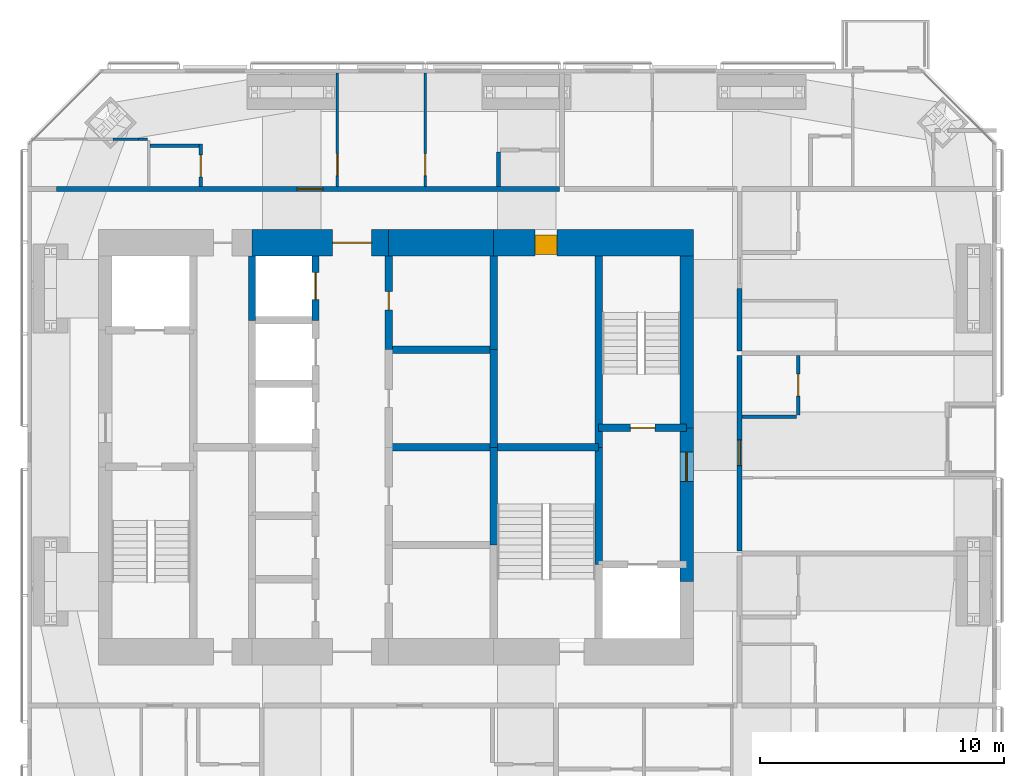
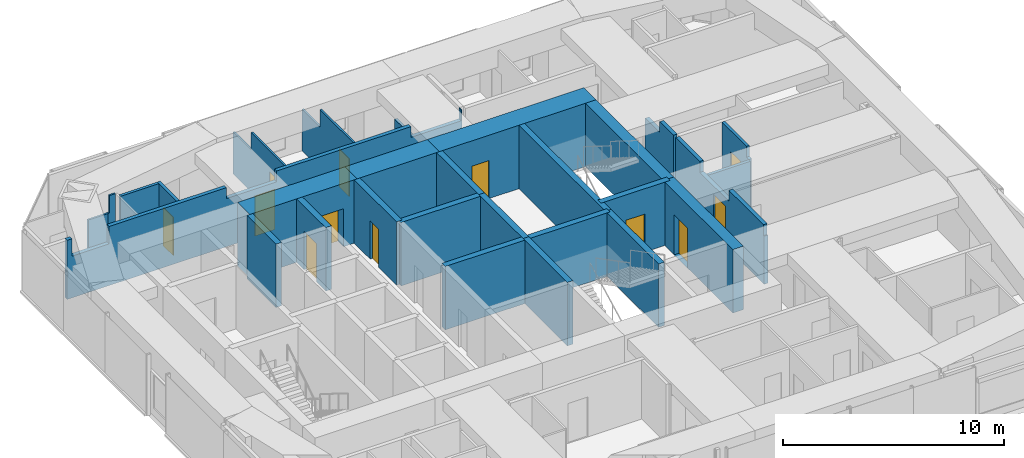
# One storey, part 16 of 19: 29 walls, 12 doors, 12 openings.
"""IFC4 building model written with IfcOpenShell, lengths in metres."""

from ifc_helpers import new_model, si_unit, direction, frame, frame_2d, origin, place, context, subcontext, project, spatial, polyline, rectangle, outline, extrude, material, layer, layer_set, constituent, constituent_set, type_object, element, fill, save


model = new_model("IFC4")

# Units and contexts
model_context = context("Model", 3, precision=1e-05, world=origin(), true_north=direction((0.0, 1.0)))
body_context = subcontext(model_context, "Body", "Model", "MODEL_VIEW")
ifc_project = project(units=[si_unit("LENGTHUNIT", "METRE"), si_unit("AREAUNIT", "SQUARE_METRE"), si_unit("VOLUMEUNIT", "CUBIC_METRE"), si_unit("PLANEANGLEUNIT", "RADIAN"), si_unit("MASSUNIT", "GRAM", prefix="KILO")], contexts=[model_context])

# Site, building, storey
site_placement = place(None, origin())
site = spatial("IfcSite", under=ifc_project, at=site_placement, CompositionType="ELEMENT")
building_placement = place(site_placement, origin())
building = spatial("IfcBuilding", under=site, at=building_placement, Name="Jalousie Tower", CompositionType="ELEMENT")
storey_placement = place(building_placement, frame((0.0, 0.0, 217.949951171875)))
storey = spatial("IfcBuildingStorey", under=building, at=storey_placement, Name="L59", CompositionType="ELEMENT", Elevation=217.949951171875)

# Wall
ifc_material_1 = material(Name="Concrete block ASTM C90", Category="concrete")
ifc_constituent_1 = constituent(ifc_material_1, Name="Body")
ifc_material_2 = material(Name="Render")
ifc_constituent_2 = constituent(ifc_material_2, Name="Finish")
ifc_constituent_set_1 = constituent_set(constituents=[ifc_constituent_1, ifc_constituent_2])
wall_type_1 = type_object("IfcWallType", Name="BATHROOM WALL 150", PredefinedType="PLUMBINGWALL", material=ifc_constituent_set_1)
wall_1_placement = place(storey_placement, frame((36.10009765625, 30.60009765625, 0.0), z_axis=(0.0, 0.0, 1.0), x_axis=(0.0, -1.0, 0.0)))
element("IfcWall", 1, at=wall_1_placement, inside=storey, type_object=wall_type_1, Name="Bathroom Wall 150 L59", PredefinedType="PLUMBINGWALL", context=body_context, shape_type="SweptSolid", body=[
    extrude(outline(polyline([(0.0, 0.0), (1.425048828125, 0.0), (1.425048828125, 3.260009765625), (1.425048828125, 2.66015625), (0.0, 2.66015625), (0.0, 3.260009765625), (0.0, 0.0)])), frame((0.0, 0.074951171875, 0.0), z_axis=(0.0, -1.0, 0.0), x_axis=(1.0, 0.0, 0.0)), (0.0, 0.0, 1.0), 0.14990234375),
])

# Wall, opening, door
wall_2_placement = place(storey_placement, frame((48.375, 19.824951171875, 0.0), z_axis=(0.0, 0.0, 1.0), x_axis=(0.0, 1.0, 0.0)))
wall_2 = element("IfcWall", 2, at=wall_2_placement, inside=storey, type_object=wall_type_1, Name="Bathroom Wall 150 L59", PredefinedType="PLUMBINGWALL", context=body_context, shape_type="SweptSolid", body=[
    extrude(outline(polyline([(0.0, 0.0), (2.425048828125, 0.0), (2.425048828125, 3.260009765625), (0.2099609375, 3.260009765625), (0.2099609375, 2.66015625), (0.0, 2.66015625), (0.0, 3.260009765625), (0.0, 0.0)])), frame((0.0, 0.074951171875, 0.0), z_axis=(0.0, -1.0, 0.0), x_axis=(1.0, 0.0, 0.0)), (0.0, 0.0, 1.0), 0.14990234375),
])
opening_1_placement = place(wall_2_placement, frame((0.77490234375, 0.0, 0.0)))
opening_1 = element("IfcOpeningElement", 3, at=opening_1_placement, cuts=wall_2, Name="Opening D3", PredefinedType="OPENING", context=body_context, shape_type="SweptSolid", body=[
    extrude(rectangle(XDim=0.89990234375, YDim=2.10009765625, at=frame_2d((0.449951171875, 1.050048828125))), frame((0.0, 0.0849609375, 0.0), z_axis=(0.0, -1.0, 0.0), x_axis=(1.0, 0.0, 0.0)), (0.0, 0.0, 1.0), 0.169921875),
])
ifc_material_3 = material(Name="Timber door", Category="wood")
door_type_1 = type_object("IfcDoorType", Name="BATHROOM DOOR 900", OperationType="SINGLE_SWING_LEFT", PredefinedType="DOOR", material=ifc_material_3)
door_1_placement = place(opening_1_placement, origin())
door_1 = element("IfcDoor", 4, at=door_1_placement, inside=storey, type_object=door_type_1, Name="Apartment 5907 bathroom door", OperationType="SINGLE_SWING_RIGHT", OverallHeight=2.10009765625, OverallWidth=0.89990234375, PredefinedType="DOOR", context=body_context, shape_type="SweptSolid", body=[
    extrude(rectangle(XDim=0.89990234375, YDim=2.10009765625, at=frame_2d((0.449951171875, 1.050048828125))), frame((0.0, 0.02490234375, 0.0), z_axis=(0.0, -1.0, 0.0), x_axis=(1.0, 0.0, 0.0)), (0.0, 0.0, 1.0), 0.050048828125),
])
fill(opening_1, door_1)

# Wall
wall_3_placement = place(storey_placement, frame((48.300048828125, 19.75, 0.0), z_axis=(0.0, 0.0, 1.0), x_axis=(-1.0, 0.0, 0.0)))
element("IfcWall", 5, at=wall_3_placement, inside=storey, type_object=wall_type_1, Name="Bathroom Wall 150 L59", PredefinedType="PLUMBINGWALL", context=body_context, shape_type="SweptSolid", body=[
    extrude(outline(polyline([(0.0, 0.0), (2.22509765625, 0.0), (2.22509765625, 3.260009765625), (2.22509765625, 2.66015625), (0.0, 2.66015625), (0.0, 3.260009765625), (0.0, 0.0)])), frame((0.0, 0.074951171875, 0.0), z_axis=(0.0, -1.0, 0.0), x_axis=(1.0, 0.0, 0.0)), (0.0, 0.0, 1.0), 0.14990234375),
])

# Wall, opening, door
wall_4_placement = place(storey_placement, frame((23.89990234375, 29.175048828125, 0.0), z_axis=(0.0, 0.0, 1.0), x_axis=(0.0, 1.0, 0.0)))
wall_4 = element("IfcWall", 6, at=wall_4_placement, inside=storey, type_object=wall_type_1, Name="Bathroom Wall 150 L59", PredefinedType="PLUMBINGWALL", context=body_context, shape_type="SweptSolid", body=[
    extrude(rectangle(XDim=1.75, YDim=0.14990234375, at=frame_2d((0.875, 0.0))), origin(), (0.0, 0.0, 1.0), 3.260009765625),
])
opening_2_placement = place(wall_4_placement, frame((0.39990234375, 0.0, 0.0)))
opening_2 = element("IfcOpeningElement", 7, at=opening_2_placement, cuts=wall_4, Name="Opening D7", PredefinedType="OPENING", context=body_context, shape_type="SweptSolid", body=[
    extrude(rectangle(XDim=0.89990234375, YDim=2.10009765625, at=frame_2d((0.449951171875, 1.050048828125))), frame((0.0, 0.0849609375, 0.0), z_axis=(0.0, -1.0, 0.0), x_axis=(1.0, 0.0, 0.0)), (0.0, 0.0, 1.0), 0.169921875),
])
ifc_material_4 = material(Name="Timber door", Category="wood")
door_type_2 = type_object("IfcDoorType", Name="INTERNAL DOOR 900", OperationType="SINGLE_SWING_LEFT", PredefinedType="DOOR", material=ifc_material_4)
door_2_placement = place(opening_2_placement, origin())
door_2 = element("IfcDoor", 8, at=door_2_placement, inside=storey, type_object=door_type_2, Name="Apartment 5904 guest WC door", OperationType="SINGLE_SWING_RIGHT", OverallHeight=2.10009765625, OverallWidth=0.89990234375, PredefinedType="DOOR", context=body_context, shape_type="SweptSolid", body=[
    extrude(rectangle(XDim=0.89990234375, YDim=2.10009765625, at=frame_2d((0.449951171875, 1.050048828125))), frame((0.0, 0.02490234375, 0.0), z_axis=(0.0, -1.0, 0.0), x_axis=(1.0, 0.0, 0.0)), (0.0, 0.0, 1.0), 0.050048828125),
])
fill(opening_2, door_2)

# Wall
wall_5_placement = place(storey_placement, frame((21.824951171875, 30.85009765625, 0.0), z_axis=(0.0, 0.0, 1.0), x_axis=(1.0, 0.0, 0.0)))
element("IfcWall", 9, at=wall_5_placement, inside=storey, type_object=wall_type_1, Name="Bathroom Wall 150 L59", PredefinedType="PLUMBINGWALL", context=body_context, shape_type="SweptSolid", body=[
    extrude(rectangle(XDim=2.0, YDim=0.14990234375, at=frame_2d((1.0, 0.0))), origin(), (0.0, 0.0, 1.0), 3.260009765625),
])

# Wall, opening, door
ifc_material_5 = material(Name="Concrete f'c 120 MPa", Category="concrete")
ifc_layer_1 = layer(ifc_material_5, 1.10009765625)
ifc_layer_set_1 = layer_set([ifc_layer_1], Name="Concrete f'c 120 MPa")
wall_type_2 = type_object("IfcWallType", Name="CORE WALL 1100", PredefinedType="SHEAR", material=ifc_layer_set_1)
wall_6_placement = place(storey_placement, frame((44.074951171875, 26.875, 0.0), z_axis=(0.0, 0.0, 1.0), x_axis=(-1.0, 0.0, 0.0)))
wall_6 = element("IfcWall", 10, at=wall_6_placement, inside=storey, type_object=wall_type_2, Name="Core wall NA L59", PredefinedType="SHEAR", context=body_context, shape_type="SweptSolid", body=[
    extrude(rectangle(XDim=8.175048828125, YDim=1.10009765625, at=frame_2d((4.08740234375, 0.0))), origin(), (0.0, 0.0, 1.0), 3.5),
])
opening_3_placement = place(wall_6_placement, frame((5.574951171875, 0.0, 0.0)))
opening_3 = element("IfcOpeningElement", 11, at=opening_3_placement, cuts=wall_6, Name="Opening D18", PredefinedType="OPENING", context=body_context, shape_type="SweptSolid", body=[
    extrude(rectangle(XDim=0.89990234375, YDim=2.10009765625, at=frame_2d((0.449951171875, 1.050048828125))), frame((0.0, 0.56005859375, 0.0), z_axis=(0.0, -1.0, 0.0), x_axis=(1.0, 0.0, 0.0)), (0.0, 0.0, 1.0), 1.1201171875),
])
ifc_material_6 = material(Name="Steel fire door", Category="steel")
door_type_3 = type_object("IfcDoorType", Name="CLEANER'S STORE DOOR 900", OperationType="SINGLE_SWING_LEFT", PredefinedType="DOOR", material=ifc_material_6)
door_3_placement = place(opening_3_placement, origin())
door_3 = element("IfcDoor", 12, at=door_3_placement, inside=storey, type_object=door_type_3, Name="Cleaner's store door", OperationType="SINGLE_SWING_LEFT", OverallHeight=2.10009765625, OverallWidth=0.89990234375, PredefinedType="DOOR", context=body_context, shape_type="SweptSolid", body=[
    extrude(rectangle(XDim=0.89990234375, YDim=2.10009765625, at=frame_2d((0.449951171875, 1.050048828125))), frame((0.0, 0.47021484375, 0.0), z_axis=(0.0, -1.0, 0.0), x_axis=(1.0, 0.0, 0.0)), (0.0, 0.0, 1.0), 0.800048828125),
])
fill(opening_3, door_3)

# Wall
wall_7_placement = place(storey_placement, frame((35.89990234375, 26.875, 0.0), z_axis=(0.0, 0.0, 1.0), x_axis=(-1.0, 0.0, 0.0)))
element("IfcWall", 13, at=wall_7_placement, inside=storey, type_object=wall_type_2, Name="Core wall NB L59", PredefinedType="SHEAR", context=body_context, shape_type="SweptSolid", body=[
    extrude(rectangle(XDim=4.2998046875, YDim=1.10009765625, at=frame_2d((2.14990234375, 0.0))), origin(), (0.0, 0.0, 1.0), 3.5),
])

# Wall, opening, door
wall_8_placement = place(storey_placement, frame((31.60009765625, 26.875, 0.0), z_axis=(0.0, 0.0, 1.0), x_axis=(-1.0, 0.0, 0.0)))
wall_8 = element("IfcWall", 14, at=wall_8_placement, inside=storey, type_object=wall_type_2, Name="Core wall NC L59", PredefinedType="SHEAR", context=body_context, shape_type="SweptSolid", body=[
    extrude(rectangle(XDim=5.60009765625, YDim=1.10009765625, at=frame_2d((2.800048828125, 0.0))), origin(), (0.0, 0.0, 1.0), 3.5),
])
opening_4_placement = place(wall_8_placement, frame((0.699951171875, 0.0, 0.0)))
opening_4 = element("IfcOpeningElement", 15, at=opening_4_placement, cuts=wall_8, Name="Opening D15", PredefinedType="OPENING", context=body_context, shape_type="SweptSolid", body=[
    extrude(rectangle(XDim=1.60009765625, YDim=2.10009765625, at=frame_2d((0.800048828125, 1.050048828125))), frame((0.0, 0.56005859375, 0.0), z_axis=(0.0, -1.0, 0.0), x_axis=(1.0, 0.0, 0.0)), (0.0, 0.0, 1.0), 1.1201171875),
])
ifc_material_7 = material(Name="Steel fire door", Category="steel")
door_type_4 = type_object("IfcDoorType", Name="LIFT LOBBY DOOR 1600", OperationType="DOUBLE_DOOR_SINGLE_SWING", PredefinedType="DOOR", material=ifc_material_7)
door_4_placement = place(opening_4_placement, origin())
door_4 = element("IfcDoor", 16, at=door_4_placement, inside=storey, type_object=door_type_4, Name="Lift lobby north door", OperationType="DOUBLE_DOOR_SINGLE_SWING", OverallHeight=2.10009765625, OverallWidth=1.60009765625, PredefinedType="DOOR", context=body_context, shape_type="SweptSolid", body=[
    extrude(rectangle(XDim=1.60009765625, YDim=2.10009765625, at=frame_2d((0.800048828125, 1.050048828125))), frame((0.0, 0.02490234375, 0.0), z_axis=(0.0, -1.0, 0.0), x_axis=(1.0, 0.0, 0.0)), (0.0, 0.0, 1.0), 0.050048828125),
])
fill(opening_4, door_4)

# Wall
ifc_material_8 = material(Name="Concrete f'c 120 MPa", Category="concrete")
ifc_layer_2 = layer(ifc_material_8, 0.300048828125)
ifc_layer_set_2 = layer_set([ifc_layer_2], Name="Concrete f'c 120 MPa")
wall_type_3 = type_object("IfcWallType", Name="CORE WALL 300", PredefinedType="SHEAR", material=ifc_layer_set_2)
wall_9_placement = place(storey_placement, frame((26.0, 23.699951171875, 0.0), z_axis=(0.0, 0.0, 1.0), x_axis=(0.0, 1.0, 0.0)))
element("IfcWall", 17, at=wall_9_placement, inside=storey, type_object=wall_type_3, Name="Core wall X26F L59", PredefinedType="SHEAR", context=body_context, shape_type="SweptSolid", body=[
    extrude(rectangle(XDim=2.625, YDim=0.300048828125, at=frame_2d((1.3125, 0.0))), origin(), (0.0, 0.0, 1.0), 3.5),
])

# Wall, opening, door
wall_10_placement = place(storey_placement, frame((28.60009765625, 23.699951171875, 0.0), z_axis=(0.0, 0.0, 1.0), x_axis=(0.0, 1.0, 0.0)))
wall_10 = element("IfcWall", 18, at=wall_10_placement, inside=storey, type_object=wall_type_3, Name="Core wall X28.6F L59", PredefinedType="SHEAR", context=body_context, shape_type="SweptSolid", body=[
    extrude(rectangle(XDim=2.625, YDim=0.300048828125, at=frame_2d((1.3125, 0.0))), origin(), (0.0, 0.0, 1.0), 3.5),
])
opening_5_placement = place(wall_10_placement, frame((0.85009765625, 0.0, 0.0)))
opening_5 = element("IfcOpeningElement", 19, at=opening_5_placement, cuts=wall_10, Name="Opening LD1", PredefinedType="OPENING", context=body_context, shape_type="SweptSolid", body=[
    extrude(rectangle(XDim=1.10009765625, YDim=2.10009765625, at=frame_2d((0.550048828125, 1.050048828125))), frame((0.0, 0.159912109375, 0.0), z_axis=(0.0, -1.0, 0.0), x_axis=(1.0, 0.0, 0.0)), (0.0, 0.0, 1.0), 0.320068359375),
])
ifc_material_9 = material(Name="Steel lift landing door", Category="steel")
door_type_5 = type_object("IfcDoorType", Name="LIFT LANDING DOOR 1100", OperationType="SLIDING_TO_LEFT", PredefinedType="DOOR", material=ifc_material_9)
door_5_placement = place(opening_5_placement, origin())
door_5 = element("IfcDoor", 20, at=door_5_placement, inside=storey, type_object=door_type_5, Name="Lift P6 landing door", OperationType="SLIDING_TO_LEFT", OverallHeight=2.10009765625, OverallWidth=1.10009765625, PredefinedType="DOOR", context=body_context, shape_type="SweptSolid", body=[
    extrude(rectangle(XDim=1.10009765625, YDim=2.10009765625, at=frame_2d((0.550048828125, 1.050048828125))), frame((0.0, 0.02490234375, 0.0), z_axis=(0.0, -1.0, 0.0), x_axis=(1.0, 0.0, 0.0)), (0.0, 0.0, 1.0), 0.050048828125),
])
fill(opening_5, door_5)

wall_11_placement = place(storey_placement, frame((31.60009765625, 22.5, 0.0), z_axis=(0.0, 0.0, 1.0), x_axis=(0.0, 1.0, 0.0)))
wall_11 = element("IfcWall", 21, at=wall_11_placement, inside=storey, type_object=wall_type_3, Name="Core wall X31.6D L59", PredefinedType="SHEAR", context=body_context, shape_type="SweptSolid", body=[
    extrude(rectangle(XDim=3.824951171875, YDim=0.300048828125, at=frame_2d((1.91259765625, 0.0))), origin(), (0.0, 0.0, 1.0), 3.5),
])
opening_6_placement = place(wall_11_placement, frame((1.625, 0.0, 0.0)))
opening_6 = element("IfcOpeningElement", 22, at=opening_6_placement, cuts=wall_11, Name="Opening D16", PredefinedType="OPENING", context=body_context, shape_type="SweptSolid", body=[
    extrude(rectangle(XDim=0.75, YDim=2.10009765625, at=frame_2d((0.375, 1.050048828125))), frame((0.0, 0.159912109375, 0.0), z_axis=(0.0, -1.0, 0.0), x_axis=(1.0, 0.0, 0.0)), (0.0, 0.0, 1.0), 0.320068359375),
])
ifc_material_10 = material(Name="Steel fire door", Category="steel")
door_type_6 = type_object("IfcDoorType", Name="RISER DOOR 750", OperationType="SINGLE_SWING_LEFT", PredefinedType="DOOR", material=ifc_material_10)
door_6_placement = place(opening_6_placement, frame((0.75, 0.0, 0.0), z_axis=(0.0, 0.0, 1.0), x_axis=(-1.0, 0.0, 0.0)))
door_6 = element("IfcDoor", 23, at=door_6_placement, inside=storey, type_object=door_type_6, Name="Water Services Room door", OperationType="SINGLE_SWING_LEFT", OverallHeight=2.10009765625, OverallWidth=0.75, PredefinedType="DOOR", context=body_context, shape_type="SweptSolid", body=[
    extrude(rectangle(XDim=0.75, YDim=2.10009765625, at=frame_2d((0.375, 1.050048828125))), frame((0.0, 0.02490234375, 0.0), z_axis=(0.0, -1.0, 0.0), x_axis=(1.0, 0.0, 0.0)), (0.0, 0.0, 1.0), 0.050048828125),
])
fill(opening_6, door_6)

# Walls
for number, where, z_axis, x_axis, name in (
    (24, (35.89990234375, 14.5, 0.0), (0.0, 0.0, 1.0), (0.0, 1.0, 0.0), "Core wall X35.9B L59"),
    (25, (35.89990234375, 18.5, 0.0), (0.0, 0.0, 1.0), (0.0, 1.0, 0.0), "Core wall X35.9C L59"),
):
    element("IfcWall", number, at=place(storey_placement, frame(where, z_axis=z_axis, x_axis=x_axis)), inside=storey, type_object=wall_type_3, Name=name, PredefinedType="SHEAR", context=body_context, shape_type="SweptSolid", body=[
        extrude(rectangle(XDim=4.0, YDim=0.300048828125, at=frame_2d((2.0, 0.0))), origin(), (0.0, 0.0, 1.0), 3.5),
    ])
wall_12_placement = place(storey_placement, frame((35.89990234375, 22.5, 0.0), z_axis=(0.0, 0.0, 1.0), x_axis=(0.0, 1.0, 0.0)))
element("IfcWall", 26, at=wall_12_placement, inside=storey, type_object=wall_type_3, Name="Core wall X35.9D L59", PredefinedType="SHEAR", context=body_context, shape_type="SweptSolid", body=[
    extrude(rectangle(XDim=3.824951171875, YDim=0.300048828125, at=frame_2d((1.91259765625, 0.0))), origin(), (0.0, 0.0, 1.0), 3.5),
])
wall_13_placement = place(storey_placement, frame((40.199951171875, 13.699951171875, 0.0), z_axis=(0.0, 0.0, 1.0), x_axis=(0.0, 1.0, 0.0)))
element("IfcWall", 27, at=wall_13_placement, inside=storey, type_object=wall_type_3, Name="Core wall X40.2B L59", PredefinedType="SHEAR", context=body_context, shape_type="SweptSolid", body=[
    extrude(rectangle(XDim=4.800048828125, YDim=0.300048828125, at=frame_2d((2.39990234375, 0.0))), origin(), (0.0, 0.0, 1.0), 3.5),
])
wall_14_placement = place(storey_placement, frame((40.199951171875, 18.5, 0.0), z_axis=(0.0, 0.0, 1.0), x_axis=(0.0, 1.0, 0.0)))
element("IfcWall", 28, at=wall_14_placement, inside=storey, type_object=wall_type_3, Name="Core wall X40.2C L59", PredefinedType="SHEAR", context=body_context, shape_type="SweptSolid", body=[
    extrude(rectangle(XDim=7.824951171875, YDim=0.300048828125, at=frame_2d((3.91259765625, 0.0))), origin(), (0.0, 0.0, 1.0), 3.5),
])
for number, where, z_axis, x_axis, name in (
    (29, (31.60009765625, 18.5, 0.0), (0.0, 0.0, 1.0), (1.0, 0.0, 0.0), "Core wall Y31.6-18.5 L59"),
    (30, (31.60009765625, 22.5, 0.0), (0.0, 0.0, 1.0), (1.0, 0.0, 0.0), "Core wall Y31.6-22.5 L59"),
):
    element("IfcWall", number, at=place(storey_placement, frame(where, z_axis=z_axis, x_axis=x_axis)), inside=storey, type_object=wall_type_3, Name=name, PredefinedType="SHEAR", context=body_context, shape_type="SweptSolid", body=[
        extrude(rectangle(XDim=4.2998046875, YDim=0.300048828125, at=frame_2d((2.14990234375, 0.0))), origin(), (0.0, 0.0, 1.0), 3.5),
    ])
wall_15_placement = place(storey_placement, frame((35.89990234375, 18.5, 0.0), z_axis=(0.0, 0.0, 1.0), x_axis=(1.0, 0.0, 0.0)))
element("IfcWall", 31, at=wall_15_placement, inside=storey, type_object=wall_type_3, Name="Core wall Y35.9-18.5 L59", PredefinedType="SHEAR", context=body_context, shape_type="SweptSolid", body=[
    extrude(rectangle(XDim=4.300048828125, YDim=0.300048828125, at=frame_2d((2.14990234375, 0.0))), origin(), (0.0, 0.0, 1.0), 3.5),
])

# Wall, opening, door
wall_16_placement = place(storey_placement, frame((40.199951171875, 19.300048828125, 0.0), z_axis=(0.0, 0.0, 1.0), x_axis=(1.0, 0.0, 0.0)))
wall_16 = element("IfcWall", 32, at=wall_16_placement, inside=storey, type_object=wall_type_3, Name="Core wall Y40.2-19.3 L59", PredefinedType="SHEAR", context=body_context, shape_type="SweptSolid", body=[
    extrude(rectangle(XDim=3.60009765625, YDim=0.300048828125, at=frame_2d((1.800048828125, 0.0))), origin(), (0.0, 0.0, 1.0), 3.5),
])
opening_7_placement = place(wall_16_placement, frame((1.300048828125, 0.0, 0.0)))
opening_7 = element("IfcOpeningElement", 33, at=opening_7_placement, cuts=wall_16, Name="Opening D10", PredefinedType="OPENING", context=body_context, shape_type="SweptSolid", body=[
    extrude(rectangle(XDim=1.0, YDim=2.10009765625, at=frame_2d((0.5, 1.050048828125))), frame((0.0, 0.159912109375, 0.0), z_axis=(0.0, -1.0, 0.0), x_axis=(1.0, 0.0, 0.0)), (0.0, 0.0, 1.0), 0.320068359375),
])
ifc_material_11 = material(Name="Steel fire door", Category="steel")
door_type_7 = type_object("IfcDoorType", Name="STAIR DOOR 1000", OperationType="SINGLE_SWING_LEFT", PredefinedType="DOOR", material=ifc_material_11)
door_7_placement = place(opening_7_placement, origin())
door_7 = element("IfcDoor", 34, at=door_7_placement, inside=storey, type_object=door_type_7, Name="Exit stair B door", OperationType="SINGLE_SWING_RIGHT", OverallHeight=2.10009765625, OverallWidth=1.0, PredefinedType="DOOR", context=body_context, shape_type="SweptSolid", body=[
    extrude(rectangle(XDim=1.0, YDim=2.10009765625, at=frame_2d((0.5, 1.050048828125))), frame((0.0, 0.02490234375, 0.0), z_axis=(0.0, -1.0, 0.0), x_axis=(1.0, 0.0, 0.0)), (0.0, 0.0, 1.0), 0.050048828125),
])
fill(opening_7, door_7)

ifc_material_12 = material(Name="Concrete f'c 120 MPa", Category="concrete")
ifc_layer_3 = layer(ifc_material_12, 0.550048828125)
ifc_layer_set_3 = layer_set([ifc_layer_3], Name="Concrete f'c 120 MPa")
wall_type_4 = type_object("IfcWallType", Name="CORE WALL 550", PredefinedType="SHEAR", material=ifc_layer_set_3)
wall_17_placement = place(storey_placement, frame((43.800048828125, 13.0, 0.0), z_axis=(0.0, 0.0, 1.0), x_axis=(0.0, 1.0, 0.0)))
wall_17 = element("IfcWall", 35, at=wall_17_placement, inside=storey, type_object=wall_type_4, Name="Core wall EB L59", PredefinedType="SHEAR", context=body_context, shape_type="SweptSolid", body=[
    extrude(rectangle(XDim=6.300048828125, YDim=0.550048828125, at=frame_2d((3.14990234375, 0.0))), origin(), (0.0, 0.0, 1.0), 3.5),
])
opening_8_placement = place(wall_17_placement, frame((4.10009765625, 0.0, 0.0)))
opening_8 = element("IfcOpeningElement", 36, at=opening_8_placement, cuts=wall_17, Name="Opening D11", PredefinedType="OPENING", context=body_context, shape_type="SweptSolid", body=[
    extrude(rectangle(XDim=1.199951171875, YDim=2.199951171875, at=frame_2d((0.60009765625, 1.10009765625))), frame((0.0, 0.284912109375, 0.0), z_axis=(0.0, -1.0, 0.0), x_axis=(1.0, 0.0, 0.0)), (0.0, 0.0, 1.0), 0.570068359375),
])
ifc_material_13 = material(Name="Steel fire door", Category="steel")
door_type_8 = type_object("IfcDoorType", Name="FIRE DOOR 1200", OperationType="SINGLE_SWING_LEFT", PredefinedType="DOOR", material=ifc_material_13)
door_8_placement = place(opening_8_placement, origin())
door_8 = element("IfcDoor", 37, at=door_8_placement, inside=storey, type_object=door_type_8, Name="Fire-fighting lobby B door", OperationType="SINGLE_SWING_RIGHT", OverallHeight=2.199951171875, OverallWidth=1.199951171875, PredefinedType="DOOR", context=body_context, shape_type="SweptSolid", body=[
    extrude(rectangle(XDim=1.199951171875, YDim=2.199951171875, at=frame_2d((0.60009765625, 1.10009765625))), frame((0.0, 0.02490234375, 0.0), z_axis=(0.0, -1.0, 0.0), x_axis=(1.0, 0.0, 0.0)), (0.0, 0.0, 1.0), 0.050048828125),
])
fill(opening_8, door_8)

# Wall
wall_18_placement = place(storey_placement, frame((43.800048828125, 19.300048828125, 0.0), z_axis=(0.0, 0.0, 1.0), x_axis=(0.0, 1.0, 0.0)))
element("IfcWall", 38, at=wall_18_placement, inside=storey, type_object=wall_type_4, Name="Core wall EC L59", PredefinedType="SHEAR", context=body_context, shape_type="SweptSolid", body=[
    extrude(rectangle(XDim=7.02490234375, YDim=0.550048828125, at=frame_2d((3.512451171875, 0.0))), origin(), (0.0, 0.0, 1.0), 3.5),
])

# Wall, opening, door
ifc_material_14 = material(Name="Concrete block ASTM C90", Category="concrete")
ifc_constituent_3 = constituent(ifc_material_14, Name="Body")
ifc_material_15 = material(Name="Render")
ifc_constituent_4 = constituent(ifc_material_15, Name="Finish")
ifc_constituent_set_2 = constituent_set(constituents=[ifc_constituent_3, ifc_constituent_4])
wall_type_5 = type_object("IfcWallType", Name="CORRIDOR WALL 200", PredefinedType="PARTITIONING", material=ifc_constituent_set_2)
wall_19_placement = place(storey_placement, frame((18.0, 29.074951171875, 0.0), z_axis=(0.0, 0.0, 1.0), x_axis=(1.0, 0.0, 0.0)))
wall_19 = element("IfcWall", 39, at=wall_19_placement, inside=storey, type_object=wall_type_5, Name="Corridor Wall 200 L59", PredefinedType="PARTITIONING", context=body_context, shape_type="SweptSolid", body=[
    extrude(outline(polyline([(0.0, 0.0), (20.60009765625, 0.0), (20.60009765625, 3.260009765625), (20.56005859375, 3.260009765625), (20.56005859375, 2.66015625), (17.93994140625, 2.66015625), (17.93994140625, 3.260009765625), (10.93505859375, 3.260009765625), (10.93505859375, 2.66015625), (8.31494140625, 2.66015625), (8.31494140625, 3.260009765625), (2.191650390625, 3.260009765625), (2.191650390625, 2.300048828125), (0.25634765625, 2.300048828125), (0.25634765625, 3.260009765625), (0.0, 3.260009765625), (0.0, 0.0)])), frame((0.0, 0.10009765625, 0.0), z_axis=(0.0, -1.0, 0.0), x_axis=(1.0, 0.0, 0.0)), (0.0, 0.0, 1.0), 0.199951171875),
])
opening_9_placement = place(wall_19_placement, frame((9.85009765625, 0.0, 0.0)))
opening_9 = element("IfcOpeningElement", 40, at=opening_9_placement, cuts=wall_19, Name="Opening D1", PredefinedType="OPENING", context=body_context, shape_type="SweptSolid", body=[
    extrude(rectangle(XDim=1.050048828125, YDim=2.199951171875, at=frame_2d((0.52490234375, 1.10009765625))), frame((0.0, 0.10986328125, 0.0), z_axis=(0.0, -1.0, 0.0), x_axis=(1.0, 0.0, 0.0)), (0.0, 0.0, 1.0), 0.219970703125),
])
ifc_material_16 = material(Name="Timber fire door", Category="wood")
door_type_9 = type_object("IfcDoorType", Name="APARTMENT ENTRANCE DOOR 1050", OperationType="SINGLE_SWING_LEFT", PredefinedType="DOOR", material=ifc_material_16)
door_9_placement = place(opening_9_placement, origin())
door_9 = element("IfcDoor", 41, at=door_9_placement, inside=storey, type_object=door_type_9, Name="Apartment 5904 entrance", OperationType="SINGLE_SWING_RIGHT", OverallHeight=2.199951171875, OverallWidth=1.050048828125, PredefinedType="DOOR", context=body_context, shape_type="SweptSolid", body=[
    extrude(rectangle(XDim=1.050048828125, YDim=2.199951171875, at=frame_2d((0.52490234375, 1.10009765625))), frame((0.0, 0.02490234375, 0.0), z_axis=(0.0, -1.0, 0.0), x_axis=(1.0, 0.0, 0.0)), (0.0, 0.0, 1.0), 0.050048828125),
])
fill(opening_9, door_9)

wall_20_placement = place(storey_placement, frame((45.97509765625, 14.25, 0.0), z_axis=(0.0, 0.0, 1.0), x_axis=(0.0, 1.0, 0.0)))
wall_20 = element("IfcWall", 42, at=wall_20_placement, inside=storey, type_object=wall_type_5, Name="Corridor Wall 200 L59", PredefinedType="PARTITIONING", context=body_context, shape_type="SweptSolid", body=[
    extrude(outline(polyline([(0.0, 0.0), (8.0, 0.0), (8.0, 3.260009765625), (5.81005859375, 3.260009765625), (5.81005859375, 2.66015625), (3.18994140625, 2.66015625), (3.18994140625, 3.260009765625), (0.06005859375, 3.260009765625), (0.06005859375, 2.66015625), (0.0, 2.66015625), (0.0, 3.260009765625), (0.0, 0.0)])), frame((0.0, 0.10009765625, 0.0), z_axis=(0.0, -1.0, 0.0), x_axis=(1.0, 0.0, 0.0)), (0.0, 0.0, 1.0), 0.199951171875),
])
opening_10_placement = place(wall_20_placement, frame((3.5, 0.0, 0.0)))
opening_10 = element("IfcOpeningElement", 43, at=opening_10_placement, cuts=wall_20, Name="Opening D1", PredefinedType="OPENING", context=body_context, shape_type="SweptSolid", body=[
    extrude(rectangle(XDim=1.050048828125, YDim=2.199951171875, at=frame_2d((0.52490234375, 1.10009765625))), frame((0.0, 0.10986328125, 0.0), z_axis=(0.0, -1.0, 0.0), x_axis=(1.0, 0.0, 0.0)), (0.0, 0.0, 1.0), 0.219970703125),
])
door_10_placement = place(opening_10_placement, frame((1.050048828125, 0.0, 0.0), z_axis=(0.0, 0.0, 1.0), x_axis=(-1.0, 0.0, 0.0)))
door_10 = element("IfcDoor", 44, at=door_10_placement, inside=storey, type_object=door_type_9, Name="Apartment 5907 entrance", OperationType="SINGLE_SWING_RIGHT", OverallHeight=2.199951171875, OverallWidth=1.050048828125, PredefinedType="DOOR", context=body_context, shape_type="SweptSolid", body=[
    extrude(rectangle(XDim=1.050048828125, YDim=2.199951171875, at=frame_2d((0.52490234375, 1.10009765625))), frame((0.0, 0.02490234375, 0.0), z_axis=(0.0, -1.0, 0.0), x_axis=(1.0, 0.0, 0.0)), (0.0, 0.0, 1.0), 0.050048828125),
])
fill(opening_10, door_10)

# Wall
wall_21_placement = place(storey_placement, frame((45.97509765625, 22.449951171875, 0.0), z_axis=(0.0, 0.0, 1.0), x_axis=(0.0, 1.0, 0.0)))
element("IfcWall", 45, at=wall_21_placement, inside=storey, type_object=wall_type_5, Name="Corridor Wall 200 L59-A", PredefinedType="PARTITIONING", context=body_context, shape_type="SweptSolid", body=[
    extrude(outline(polyline([(0.0, 0.0), (2.550048828125, 0.0), (2.550048828125, 2.66015625), (1.239990234375, 2.66015625), (1.239990234375, 3.260009765625), (0.0, 3.260009765625), (0.0, 0.0)])), frame((0.0, 0.10009765625, 0.0), z_axis=(0.0, -1.0, 0.0), x_axis=(1.0, 0.0, 0.0)), (0.0, 0.0, 1.0), 0.199951171875),
])

# Wall, opening, door
ifc_material_17 = material(Name="Gypsum board", Category="gypsum")
ifc_constituent_5 = constituent(ifc_material_17, Name="Body")
ifc_material_18 = material(Name="Light-gauge steel studs ASTM A653 SS Grade 33", Category="steel")
ifc_constituent_6 = constituent(ifc_material_18, Name="Framing")
ifc_constituent_set_3 = constituent_set(constituents=[ifc_constituent_5, ifc_constituent_6])
wall_type_6 = type_object("IfcWallType", Name="PARTITION 100", PredefinedType="PARTITIONING", material=ifc_constituent_set_3)
wall_22_placement = place(storey_placement, frame((33.10009765625, 33.824951171875, 0.0), z_axis=(0.0, 0.0, 1.0), x_axis=(0.0, -1.0, 0.0)))
wall_22 = element("IfcWall", 46, at=wall_22_placement, inside=storey, type_object=wall_type_6, Name="Partition 100 L59", PredefinedType="PARTITIONING", context=body_context, shape_type="SweptSolid", body=[
    extrude(outline(polyline([(0.0, 0.0), (4.64990234375, 0.0), (4.64990234375, 3.260009765625), (1.635009765625, 3.260009765625), (1.635009765625, 2.300048828125), (0.0, 2.300048828125), (0.0, 3.260009765625), (0.0, 0.0)])), frame((0.0, 0.050048828125, 0.0), z_axis=(0.0, -1.0, 0.0), x_axis=(1.0, 0.0, 0.0)), (0.0, 0.0, 1.0), 0.10009765625),
])
opening_11_placement = place(wall_22_placement, frame((3.300048828125, 0.0, 0.0)))
opening_11 = element("IfcOpeningElement", 47, at=opening_11_placement, cuts=wall_22, Name="Opening D2", PredefinedType="OPENING", context=body_context, shape_type="SweptSolid", body=[
    extrude(rectangle(XDim=0.89990234375, YDim=2.10009765625, at=frame_2d((0.449951171875, 1.050048828125))), frame((0.0, 0.06005859375, 0.0), z_axis=(0.0, -1.0, 0.0), x_axis=(1.0, 0.0, 0.0)), (0.0, 0.0, 1.0), 0.1201171875),
])
ifc_material_19 = material(Name="Timber door", Category="wood")
door_type_10 = type_object("IfcDoorType", Name="BEDROOM DOOR 900", OperationType="SINGLE_SWING_LEFT", PredefinedType="DOOR", material=ifc_material_19)
door_11_placement = place(opening_11_placement, frame((0.89990234375, 0.0, 0.0), z_axis=(0.0, 0.0, 1.0), x_axis=(-1.0, 0.0, 0.0)))
door_11 = element("IfcDoor", 48, at=door_11_placement, inside=storey, type_object=door_type_10, Name="Apartment 5904 bedroom 1 door", OperationType="SINGLE_SWING_LEFT", OverallHeight=2.10009765625, OverallWidth=0.89990234375, PredefinedType="DOOR", context=body_context, shape_type="SweptSolid", body=[
    extrude(rectangle(XDim=0.89990234375, YDim=2.10009765625, at=frame_2d((0.449951171875, 1.050048828125))), frame((0.0, 0.02490234375, 0.0), z_axis=(0.0, -1.0, 0.0), x_axis=(1.0, 0.0, 0.0)), (0.0, 0.0, 1.0), 0.050048828125),
])
fill(opening_11, door_11)

wall_23_placement = place(storey_placement, frame((29.5, 33.824951171875, 0.0), z_axis=(0.0, 0.0, 1.0), x_axis=(0.0, -1.0, 0.0)))
wall_23 = element("IfcWall", 49, at=wall_23_placement, inside=storey, type_object=wall_type_6, Name="Partition 100 L59", PredefinedType="PARTITIONING", context=body_context, shape_type="SweptSolid", body=[
    extrude(outline(polyline([(0.0, 0.0), (4.64990234375, 0.0), (4.64990234375, 3.260009765625), (1.635009765625, 3.260009765625), (1.635009765625, 2.300048828125), (0.0, 2.300048828125), (0.0, 3.260009765625), (0.0, 0.0)])), frame((0.0, 0.050048828125, 0.0), z_axis=(0.0, -1.0, 0.0), x_axis=(1.0, 0.0, 0.0)), (0.0, 0.0, 1.0), 0.10009765625),
])
opening_12_placement = place(wall_23_placement, frame((3.300048828125, 0.0, 0.0)))
opening_12 = element("IfcOpeningElement", 50, at=opening_12_placement, cuts=wall_23, Name="Opening D2", PredefinedType="OPENING", context=body_context, shape_type="SweptSolid", body=[
    extrude(rectangle(XDim=0.89990234375, YDim=2.10009765625, at=frame_2d((0.449951171875, 1.050048828125))), frame((0.0, 0.06005859375, 0.0), z_axis=(0.0, -1.0, 0.0), x_axis=(1.0, 0.0, 0.0)), (0.0, 0.0, 1.0), 0.1201171875),
])
door_12_placement = place(opening_12_placement, origin())
door_12 = element("IfcDoor", 51, at=door_12_placement, inside=storey, type_object=door_type_10, Name="Apartment 5904 bedroom 2 door", OperationType="SINGLE_SWING_RIGHT", OverallHeight=2.10009765625, OverallWidth=0.89990234375, PredefinedType="DOOR", context=body_context, shape_type="SweptSolid", body=[
    extrude(rectangle(XDim=0.89990234375, YDim=2.10009765625, at=frame_2d((0.449951171875, 1.050048828125))), frame((0.0, 0.02490234375, 0.0), z_axis=(0.0, -1.0, 0.0), x_axis=(1.0, 0.0, 0.0)), (0.0, 0.0, 1.0), 0.050048828125),
])
fill(opening_12, door_12)

# Walls
wall_24_placement = place(storey_placement, frame((20.311767578125, 31.125, 0.0), z_axis=(0.0, 0.0, 1.0), x_axis=(1.0, 0.0, 0.0)))
element("IfcWall", 52, at=wall_24_placement, inside=storey, type_object=wall_type_6, Name="Partition 100 L59-B", PredefinedType="PARTITIONING", context=body_context, shape_type="SweptSolid", body=[
    extrude(outline(polyline([(0.738525390625, 0.19580078125), (0.738525390625, 0.0), (1.037109375, 0.0), (1.037109375, 2.300048828125), (0.0, 2.300048828125), (0.0, 0.62841796875), (0.738525390625, 0.19580078125)])), frame((0.0, 0.050048828125, 0.0), z_axis=(0.0, -1.0, 0.0), x_axis=(1.0, 0.0, 0.0)), (0.0, 0.0, 1.0), 0.10009765625),
])
wall_25_placement = place(storey_placement, frame((21.348876953125, 31.125, 0.0), z_axis=(0.0, 0.0, 1.0), x_axis=(1.0, 0.0, 0.0)))
element("IfcWall", 53, at=wall_25_placement, inside=storey, type_object=wall_type_6, Name="Partition 100 L59-C", PredefinedType="PARTITIONING", context=body_context, shape_type="SweptSolid", body=[
    extrude(outline(polyline([(0.0, 0.0), (0.376220703125, 0.0), (0.376220703125, 3.260009765625), (0.064208984375, 3.260009765625), (0.064208984375, 2.300048828125), (0.0, 2.300048828125), (0.0, 0.0)])), frame((0.0, 0.050048828125, 0.0), z_axis=(0.0, -1.0, 0.0), x_axis=(1.0, 0.0, 0.0)), (0.0, 0.0, 1.0), 0.10009765625),
])

save(model, "model.ifc")
